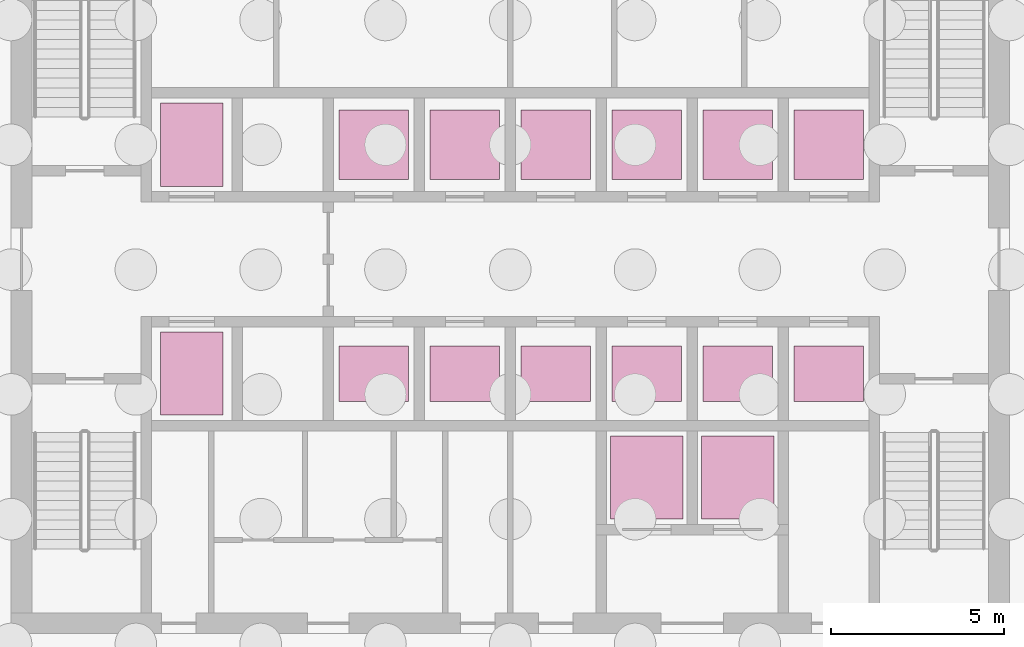
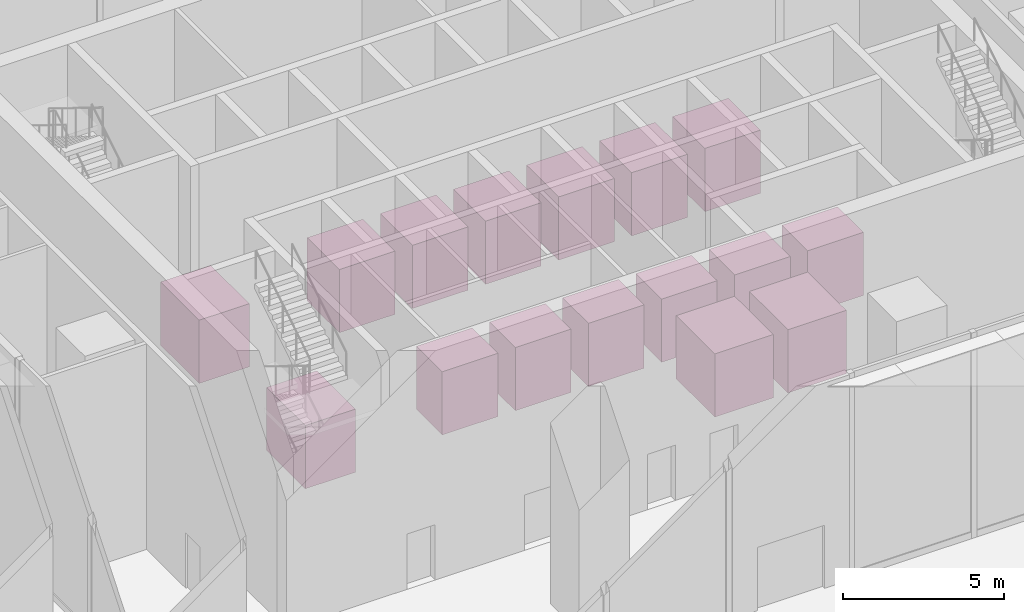
# One storey, part 18 of 18: 16 transport elements.
"""IFC4 building model written with IfcOpenShell, lengths in metres."""

from ifc_helpers import new_model, si_unit, direction, frame, origin, origin_2d, place, context, subcontext, project, spatial, rectangle, extrude, material, type_object, element, save


model = new_model("IFC4")

# Units and contexts
model_context = context("Model", 3, precision=1e-05, world=origin(), true_north=direction((0.0, 1.0)))
body_context = subcontext(model_context, "Body", "Model", "MODEL_VIEW")
ifc_project = project(units=[si_unit("LENGTHUNIT", "METRE"), si_unit("AREAUNIT", "SQUARE_METRE"), si_unit("VOLUMEUNIT", "CUBIC_METRE"), si_unit("PLANEANGLEUNIT", "RADIAN"), si_unit("MASSUNIT", "GRAM", prefix="KILO")], contexts=[model_context])

# Site, building, storey
site_placement = place(None, origin())
site = spatial("IfcSite", under=ifc_project, at=site_placement, CompositionType="ELEMENT")
building_placement = place(site_placement, origin())
building = spatial("IfcBuilding", under=site, at=building_placement, Name="Mopane Tessera Tower", CompositionType="ELEMENT")
storey_placement = place(building_placement, origin())
storey = spatial("IfcBuildingStorey", under=building, at=storey_placement, Name="L00", CompositionType="ELEMENT", Elevation=0.0)

# Transport elements
ifc_material_1 = material(Name="Stainless steel lift car", Category="steel")
transport_element_type_1 = type_object("IfcTransportElementType", Name="Fire-fighting lift car 1800 x 2400", PredefinedType="ELEVATOR", material=ifc_material_1)
for number, where, z_axis, x_axis, name in (
    (1, (-9.1875, 0.300048828125, 0.0), (0.0, 0.0, 1.0), (1.0, 0.0, 0.0), "FF1"),
    (2, (-9.1875, 6.89990234375, 0.0), (0.0, 0.0, 1.0), (1.0, 0.0, 0.0), "FF2"),
):
    element("IfcTransportElement", number, at=place(storey_placement, frame(where, z_axis=z_axis, x_axis=x_axis)), inside=storey, type_object=transport_element_type_1, Name=name, PredefinedType="ELEVATOR", context=body_context, shape_type="SweptSolid", body=[
        extrude(rectangle(XDim=1.800048828125, YDim=2.39990234375, at=origin_2d()), origin(), (0.0, 0.0, 1.0), 2.39990234375),
    ])
ifc_material_2 = material(Name="Stainless steel lift car", Category="steel")
transport_element_type_2 = type_object("IfcTransportElementType", Name="Passenger lift car 2000 x 1600", PredefinedType="ELEVATOR", material=ifc_material_2)
for number, where, z_axis, x_axis, name in (
    (3, (-3.9375, 0.300048828125, 0.0), (0.0, 0.0, 1.0), (1.0, 0.0, 0.0), "LR1"),
    (4, (-1.3125, 0.300048828125, 0.0), (0.0, 0.0, 1.0), (1.0, 0.0, 0.0), "LR2"),
    (5, (1.3125, 0.300048828125, 0.0), (0.0, 0.0, 1.0), (1.0, 0.0, 0.0), "LR3"),
    (6, (3.9375, 0.300048828125, 0.0), (0.0, 0.0, 1.0), (1.0, 0.0, 0.0), "LR4"),
    (7, (6.5625, 0.300048828125, 0.0), (0.0, 0.0, 1.0), (1.0, 0.0, 0.0), "LR5"),
    (8, (9.1875, 0.300048828125, 0.0), (0.0, 0.0, 1.0), (1.0, 0.0, 0.0), "LR6"),
):
    element("IfcTransportElement", number, at=place(storey_placement, frame(where, z_axis=z_axis, x_axis=x_axis)), inside=storey, type_object=transport_element_type_2, Name=name, PredefinedType="ELEVATOR", context=body_context, shape_type="SweptSolid", body=[
        extrude(rectangle(XDim=2.0, YDim=1.60009765625, at=origin_2d()), origin(), (0.0, 0.0, 1.0), 2.39990234375),
    ])
ifc_material_3 = material(Name="Stainless steel lift car", Category="steel")
transport_element_type_3 = type_object("IfcTransportElementType", Name="Passenger lift car 2000 x 2000", PredefinedType="ELEVATOR", material=ifc_material_3)
for number, where, z_axis, x_axis, name in (
    (9, (-3.9375, 6.89990234375, 0.0), (0.0, 0.0, 1.0), (1.0, 0.0, 0.0), "HR1"),
    (10, (-1.3125, 6.89990234375, 0.0), (0.0, 0.0, 1.0), (1.0, 0.0, 0.0), "HR2"),
    (11, (1.3125, 6.89990234375, 0.0), (0.0, 0.0, 1.0), (1.0, 0.0, 0.0), "HR3"),
    (12, (3.9375, 6.89990234375, 0.0), (0.0, 0.0, 1.0), (1.0, 0.0, 0.0), "HR4"),
    (13, (6.5625, 6.89990234375, 0.0), (0.0, 0.0, 1.0), (1.0, 0.0, 0.0), "HR5"),
    (14, (9.1875, 6.89990234375, 0.0), (0.0, 0.0, 1.0), (1.0, 0.0, 0.0), "HR6"),
):
    element("IfcTransportElement", number, at=place(storey_placement, frame(where, z_axis=z_axis, x_axis=x_axis)), inside=storey, type_object=transport_element_type_3, Name=name, PredefinedType="ELEVATOR", context=body_context, shape_type="SweptSolid", body=[
        extrude(rectangle(XDim=2.0, YDim=2.0, at=origin_2d()), origin(), (0.0, 0.0, 1.0), 2.39990234375),
    ])
ifc_material_4 = material(Name="Stainless steel lift car", Category="steel")
transport_element_type_4 = type_object("IfcTransportElementType", Name="Service lift car 2100 x 2400", PredefinedType="ELEVATOR", material=ifc_material_4)
for number, where, z_axis, x_axis, name in (
    (15, (3.9375, -2.699951171875, 0.0), (0.0, 0.0, 1.0), (1.0, 0.0, 0.0), "SV1"),
    (16, (6.5625, -2.699951171875, 0.0), (0.0, 0.0, 1.0), (1.0, 0.0, 0.0), "SV2"),
):
    element("IfcTransportElement", number, at=place(storey_placement, frame(where, z_axis=z_axis, x_axis=x_axis)), inside=storey, type_object=transport_element_type_4, Name=name, PredefinedType="ELEVATOR", context=body_context, shape_type="SweptSolid", body=[
        extrude(rectangle(XDim=2.10009765625, YDim=2.39990234375, at=origin_2d()), origin(), (0.0, 0.0, 1.0), 2.39990234375),
    ])

save(model, "model.ifc")
